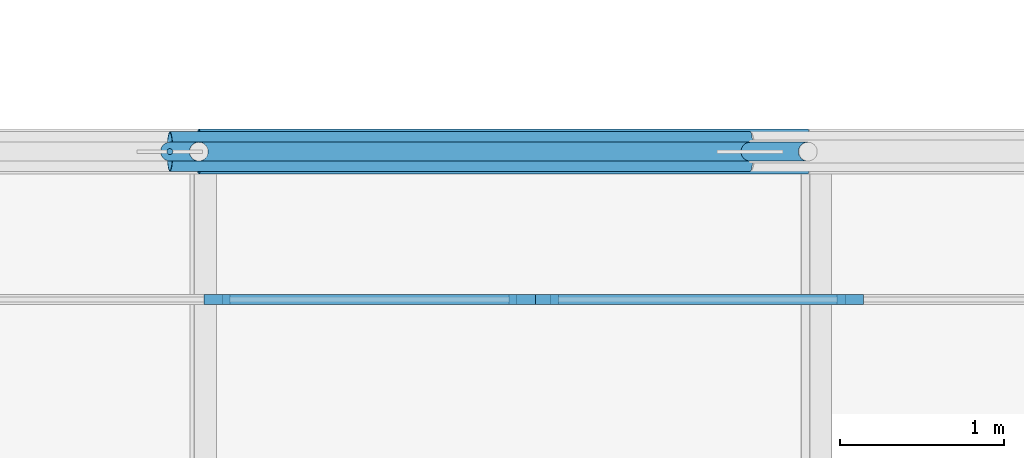
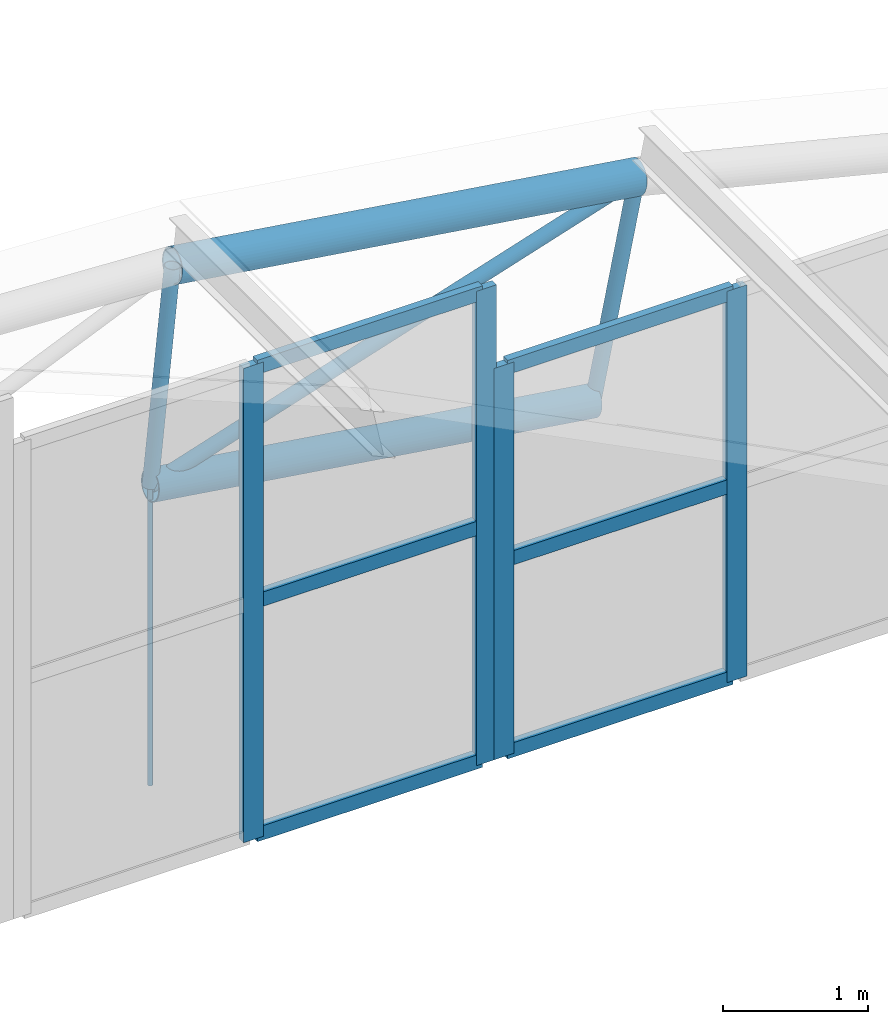
# One storey, part 225 of 321: 16 members, 2 elements without a shape of their own.
"""IFC4 building model written with IfcOpenShell, lengths in metres."""

from ifc_helpers import new_model, si_unit, direction, frame, origin, origin_2d, place, context, subcontext, project, spatial, rectangle, circle, hollow_circle, extrude, material, layer, layer_set, material_profile, profile_set, type_object, element, aggregate, save


model = new_model("IFC4")

# Units and contexts
model_context = context("Model", 3, precision=1e-05, world=origin(), true_north=direction((0.0, 1.0)))
body_context = subcontext(model_context, "Body", "Model", "MODEL_VIEW")
ifc_project = project(units=[si_unit("LENGTHUNIT", "METRE"), si_unit("AREAUNIT", "SQUARE_METRE"), si_unit("VOLUMEUNIT", "CUBIC_METRE"), si_unit("PLANEANGLEUNIT", "RADIAN"), si_unit("MASSUNIT", "GRAM", prefix="KILO")], contexts=[model_context])

# Site, building, storey
site_placement = place(None, origin())
site = spatial("IfcSite", under=ifc_project, at=site_placement, CompositionType="ELEMENT")
building_placement = place(site_placement, origin())
building = spatial("IfcBuilding", under=site, at=building_placement, Name="Ravi Spectrum Wholesale Market", CompositionType="ELEMENT")
storey_placement = place(building_placement, frame((0.0, 0.0, 10.800048828125)))
storey = spatial("IfcBuildingStorey", under=building, at=storey_placement, Name="L02", CompositionType="ELEMENT", Elevation=10.800048828125)

# Members
ifc_material_1 = material(Name="Steel S355", Category="steel")
ifc_material_profile_1 = material_profile(ifc_material_1, hollow_circle(Radius=0.05712890625, WallThickness=0.00390625, at=origin_2d()))
ifc_profile_set_1 = profile_set([ifc_material_profile_1], Name="Steel S355")
member_type_1 = type_object("IfcMemberType", Name="CHS 114.3x4 brace", PredefinedType="BRACE", material=ifc_profile_set_1)
member_1_placement = place(storey_placement, frame((187.448486328125, 186.0, 3.767822265625), z_axis=(-0.952400500519, 0.0, -0.304849613108), x_axis=(0.0, -1.0, 0.0)))
element("IfcMember", 1, at=member_1_placement, inside=storey, type_object=member_type_1, Name="H3-MB-L02-195", PredefinedType="BRACE", context=body_context, shape_type="SweptSolid", body=[
    extrude(hollow_circle(Radius=0.05712890625, WallThickness=0.00390625, at=origin_2d()), origin(), (0.0, 0.0, 1.0), 4.076416015625),
])
ifc_material_2 = material(Name="Steel S355", Category="steel")
ifc_material_profile_2 = material_profile(ifc_material_2, hollow_circle(Radius=0.05712890625, WallThickness=0.00390625, at=origin_2d()))
ifc_profile_set_2 = profile_set([ifc_material_profile_2], Name="Steel S355")
member_type_2 = type_object("IfcMemberType", Name="CHS 114.3x4 post", PredefinedType="POST", material=ifc_profile_set_2)
member_2_placement = place(storey_placement, frame((183.7421875, 186.0, 4.31640625), z_axis=(-0.097797973815, 0.0, -0.995206288323), x_axis=(0.0, -1.0, 0.0)))
element("IfcMember", 2, at=member_2_placement, inside=storey, type_object=member_type_2, Name="H3-MB-L02-186", PredefinedType="POST", context=body_context, shape_type="SweptSolid", body=[
    extrude(hollow_circle(Radius=0.05712890625, WallThickness=0.00390625, at=origin_2d()), origin(), (0.0, 0.0, 1.0), 1.7998046875),
])
member_3_placement = place(storey_placement, frame((187.448486328125, 186.0, 3.767822265625), z_axis=(-0.194759682352, 0.0, -0.980850990788), x_axis=(0.0, -1.0, 0.0)))
element("IfcMember", 3, at=member_3_placement, inside=storey, type_object=member_type_2, Name="H3-MB-L02-187", PredefinedType="POST", context=body_context, shape_type="SweptSolid", body=[
    extrude(hollow_circle(Radius=0.05712890625, WallThickness=0.00390625, at=origin_2d()), origin(), (0.0, 0.0, 1.0), 1.800048828125),
])
ifc_material_3 = material(Name="Steel S355", Category="steel")
ifc_material_profile_3 = material_profile(ifc_material_3, hollow_circle(Radius=0.122314453125, WallThickness=0.008056640625, at=origin_2d()))
ifc_profile_set_3 = profile_set([ifc_material_profile_3], Name="Steel S355")
member_type_3 = type_object("IfcMemberType", Name="CHS 244.5x8 chord", PredefinedType="CHORD", material=ifc_profile_set_3)
member_4_placement = place(storey_placement, frame((183.566162109375, 186.0, 2.525146484375), z_axis=(0.989214474115, 0.0, -0.146474312426), x_axis=(0.0, 1.0, 0.0)))
element("IfcMember", 4, at=member_4_placement, inside=storey, type_object=member_type_3, Name="H3-MB-L02-177", PredefinedType="CHORD", context=body_context, shape_type="SweptSolid", body=[
    extrude(hollow_circle(Radius=0.122314453125, WallThickness=0.008056640625, at=origin_2d()), origin(), (0.0, 0.0, 1.0), 3.5703125),
])
ifc_material_4 = material(Name="Steel S355", Category="steel")
ifc_material_profile_4 = material_profile(ifc_material_4, hollow_circle(Radius=0.136474609375, WallThickness=0.010009765625, at=origin_2d()))
ifc_profile_set_4 = profile_set([ifc_material_profile_4], Name="Steel S355")
member_type_4 = type_object("IfcMemberType", Name="CHS 273x10 chord", PredefinedType="CHORD", material=ifc_profile_set_4)
member_5_placement = place(storey_placement, frame((183.7421875, 186.0, 4.31640625), z_axis=(0.989222696265, 0.0, -0.146418773368), x_axis=(0.0, 1.0, 0.0)))
element("IfcMember", 5, at=member_5_placement, inside=storey, type_object=member_type_4, Name="H3-MB-L02-167", PredefinedType="CHORD", context=body_context, shape_type="SweptSolid", body=[
    extrude(hollow_circle(Radius=0.136474609375, WallThickness=0.010009765625, at=origin_2d()), origin(), (0.0, 0.0, 1.0), 3.74658203125),
])

# Curtain wall, members
ifc_material_5 = material(Name="Aluminium 6063-T6", Category="aluminium")
ifc_layer = layer(ifc_material_5, 0.14990234375)
ifc_layer_set = layer_set([ifc_layer], Name="Aluminium 6063-T6")
curtain_wall_type = type_object("IfcCurtainWallType", Name="Curtain wall 150", PredefinedType="NOTDEFINED", material=ifc_layer_set)
curtain_wall_1_placement = place(storey_placement, origin())
curtain_wall_1 = element("IfcCurtainWall", 6, at=curtain_wall_1_placement, inside=storey, type_object=curtain_wall_type, Name="H3-CW-L02-012", PredefinedType="NOTDEFINED")
ifc_material_6 = material(Name="Aluminium 6063-T6", Category="aluminium")
ifc_material_profile_5 = material_profile(ifc_material_6, rectangle(XDim=0.06005859375, YDim=0.159912109375, at=origin_2d()))
ifc_profile_set_5 = profile_set([ifc_material_profile_5], Name="Aluminium 6063-T6")
member_type_5 = type_object("IfcMemberType", Name="Mullion 60 x 160", PredefinedType="MULLION", material=ifc_profile_set_5)
member_6_placement = place(storey_placement, frame((183.853759765625, 185.10009765625, 0.0), z_axis=(0.0, 0.0, 1.0), x_axis=(0.0, 1.0, 0.0)))
member_6 = element("IfcMember", 7, at=member_6_placement, type_object=member_type_5, Name="H3-CW-L02-012 mullion 2", PredefinedType="MULLION", context=body_context, shape_type="SweptSolid", body=[
    extrude(rectangle(XDim=0.06005859375, YDim=0.159912109375, at=origin_2d()), origin(), (0.0, 0.0, 1.0), 4.0),
])
member_7_placement = place(storey_placement, frame((185.710693359375, 185.10009765625, 0.0), z_axis=(0.0, 0.0, 1.0), x_axis=(0.0, 1.0, 0.0)))
member_7 = element("IfcMember", 8, at=member_7_placement, type_object=member_type_5, Name="H3-CW-L02-012 mullion 3", PredefinedType="MULLION", context=body_context, shape_type="SweptSolid", body=[
    extrude(rectangle(XDim=0.06005859375, YDim=0.159912109375, at=origin_2d()), origin(), (0.0, 0.0, 1.0), 4.0),
])

curtain_wall_2_placement = place(storey_placement, origin())
curtain_wall_2 = element("IfcCurtainWall", 9, at=curtain_wall_2_placement, inside=storey, type_object=curtain_wall_type, Name="H3-CW-L02-013", PredefinedType="NOTDEFINED")
member_8_placement = place(storey_placement, frame((185.850830078125, 185.10009765625, 0.0), z_axis=(0.0, 0.0, 1.0), x_axis=(0.0, 1.0, 0.0)))
member_8 = element("IfcMember", 10, at=member_8_placement, type_object=member_type_5, Name="H3-CW-L02-013 mullion 1", PredefinedType="MULLION", context=body_context, shape_type="SweptSolid", body=[
    extrude(rectangle(XDim=0.06005859375, YDim=0.159912109375, at=origin_2d()), origin(), (0.0, 0.0, 1.0), 3.300048828125),
])
member_9_placement = place(storey_placement, frame((187.707763671875, 185.10009765625, 0.0), z_axis=(0.0, 0.0, 1.0), x_axis=(0.0, 1.0, 0.0)))
member_9 = element("IfcMember", 11, at=member_9_placement, type_object=member_type_5, Name="H3-CW-L02-013 mullion 2", PredefinedType="MULLION", context=body_context, shape_type="SweptSolid", body=[
    extrude(rectangle(XDim=0.06005859375, YDim=0.159912109375, at=origin_2d()), origin(), (0.0, 0.0, 1.0), 3.300048828125),
])

# Member
ifc_material_7 = material(Name="Steel S355", Category="steel")
ifc_material_profile_6 = material_profile(ifc_material_7, circle(Radius=0.01806640625, at=origin_2d()))
ifc_profile_set_6 = profile_set([ifc_material_profile_6], Name="Steel S355")
member_type_6 = type_object("IfcMemberType", Name="ROD 36 hanger", PredefinedType="STRUT", material=ifc_profile_set_6)
member_10_placement = place(storey_placement, frame((183.566162109375, 186.0, 0.0), z_axis=(0.0, 0.0, 1.0), x_axis=(1.0, 0.0, 0.0)))
element("IfcMember", 12, at=member_10_placement, inside=storey, type_object=member_type_6, Name="H3-MB-L02-200", PredefinedType="STRUT", context=body_context, shape_type="SweptSolid", body=[
    extrude(circle(Radius=0.01806640625, at=origin_2d()), origin(), (0.0, 0.0, 1.0), 2.525146484375),
])

ifc_material_8 = material(Name="Aluminium 6063-T6", Category="aluminium")
ifc_material_profile_7 = material_profile(ifc_material_8, rectangle(XDim=0.06005859375, YDim=0.1201171875, at=origin_2d()))
ifc_profile_set_7 = profile_set([ifc_material_profile_7], Name="Aluminium 6063-T6")
member_type_7 = type_object("IfcMemberType", Name="Transom 60 x 120", PredefinedType="USERDEFINED", material=ifc_profile_set_7)
member_11_placement = place(storey_placement, frame((183.8837890625, 185.10009765625, 0.030029296875), z_axis=(1.0, 0.0, 0.0), x_axis=(0.0, 1.0, 0.0)))
member_11 = element("IfcMember", 13, at=member_11_placement, type_object=member_type_7, Name="H3-CW-L02-012 transom 2.1", ObjectType="TRANSOM", PredefinedType="USERDEFINED", context=body_context, shape_type="SweptSolid", body=[
    extrude(rectangle(XDim=0.06005859375, YDim=0.1201171875, at=origin_2d()), origin(), (0.0, 0.0, 1.0), 1.796875),
])

member_12_placement = place(storey_placement, frame((183.8837890625, 185.10009765625, 2.0), z_axis=(1.0, 0.0, 0.0), x_axis=(0.0, 1.0, 0.0)))
member_12 = element("IfcMember", 14, at=member_12_placement, type_object=member_type_7, Name="H3-CW-L02-012 transom 2.2", ObjectType="TRANSOM", PredefinedType="USERDEFINED", context=body_context, shape_type="SweptSolid", body=[
    extrude(rectangle(XDim=0.06005859375, YDim=0.1201171875, at=origin_2d()), origin(), (0.0, 0.0, 1.0), 1.796875),
])

member_13_placement = place(storey_placement, frame((183.8837890625, 185.10009765625, 3.969970703125), z_axis=(1.0, 0.0, 0.0), x_axis=(0.0, 1.0, 0.0)))
member_13 = element("IfcMember", 15, at=member_13_placement, type_object=member_type_7, Name="H3-CW-L02-012 transom 2.3", ObjectType="TRANSOM", PredefinedType="USERDEFINED", context=body_context, shape_type="SweptSolid", body=[
    extrude(rectangle(XDim=0.06005859375, YDim=0.1201171875, at=origin_2d()), origin(), (0.0, 0.0, 1.0), 1.796875),
])

aggregate(curtain_wall_1, [member_6, member_7, member_11, member_12, member_13])

member_14_placement = place(storey_placement, frame((185.880615234375, 185.10009765625, 0.030029296875), z_axis=(1.0, 0.0, 0.0), x_axis=(0.0, 1.0, 0.0)))
member_14 = element("IfcMember", 16, at=member_14_placement, type_object=member_type_7, Name="H3-CW-L02-013 transom 1.1", ObjectType="TRANSOM", PredefinedType="USERDEFINED", context=body_context, shape_type="SweptSolid", body=[
    extrude(rectangle(XDim=0.06005859375, YDim=0.1201171875, at=origin_2d()), origin(), (0.0, 0.0, 1.0), 1.797119140625),
])

member_15_placement = place(storey_placement, frame((185.880615234375, 185.10009765625, 1.64990234375), z_axis=(1.0, 0.0, 0.0), x_axis=(0.0, 1.0, 0.0)))
member_15 = element("IfcMember", 17, at=member_15_placement, type_object=member_type_7, Name="H3-CW-L02-013 transom 1.2", ObjectType="TRANSOM", PredefinedType="USERDEFINED", context=body_context, shape_type="SweptSolid", body=[
    extrude(rectangle(XDim=0.06005859375, YDim=0.1201171875, at=origin_2d()), origin(), (0.0, 0.0, 1.0), 1.797119140625),
])

member_16_placement = place(storey_placement, frame((185.880615234375, 185.10009765625, 3.27001953125), z_axis=(1.0, 0.0, 0.0), x_axis=(0.0, 1.0, 0.0)))
member_16 = element("IfcMember", 18, at=member_16_placement, type_object=member_type_7, Name="H3-CW-L02-013 transom 1.3", ObjectType="TRANSOM", PredefinedType="USERDEFINED", context=body_context, shape_type="SweptSolid", body=[
    extrude(rectangle(XDim=0.06005859375, YDim=0.1201171875, at=origin_2d()), origin(), (0.0, 0.0, 1.0), 1.797119140625),
])

aggregate(curtain_wall_2, [member_8, member_9, member_14, member_15, member_16])

save(model, "model.ifc")
